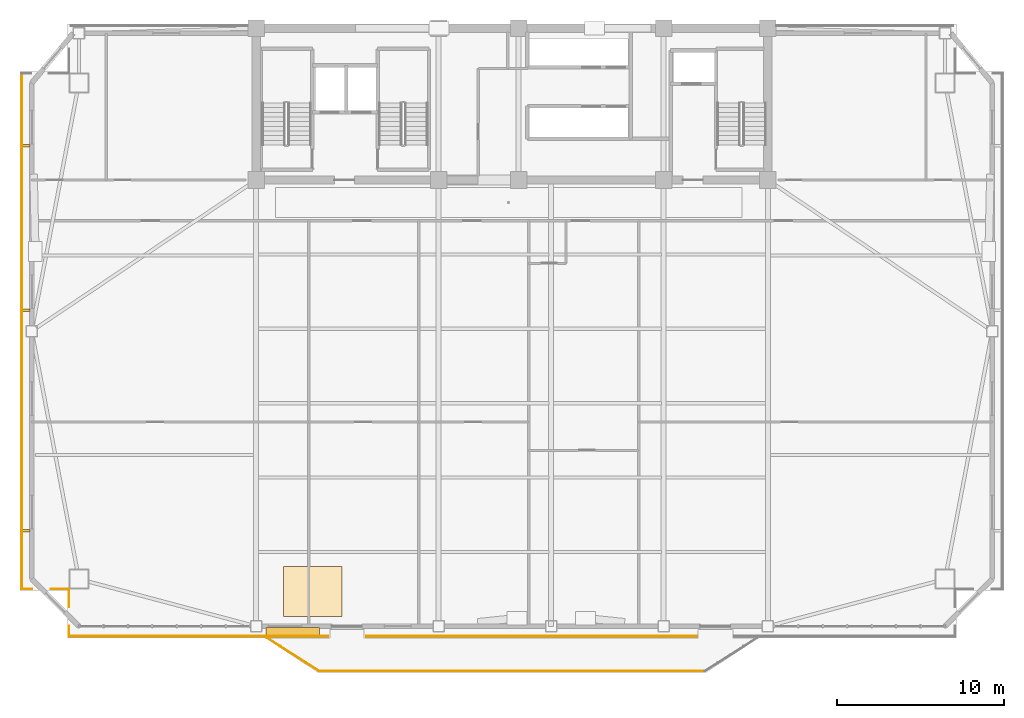
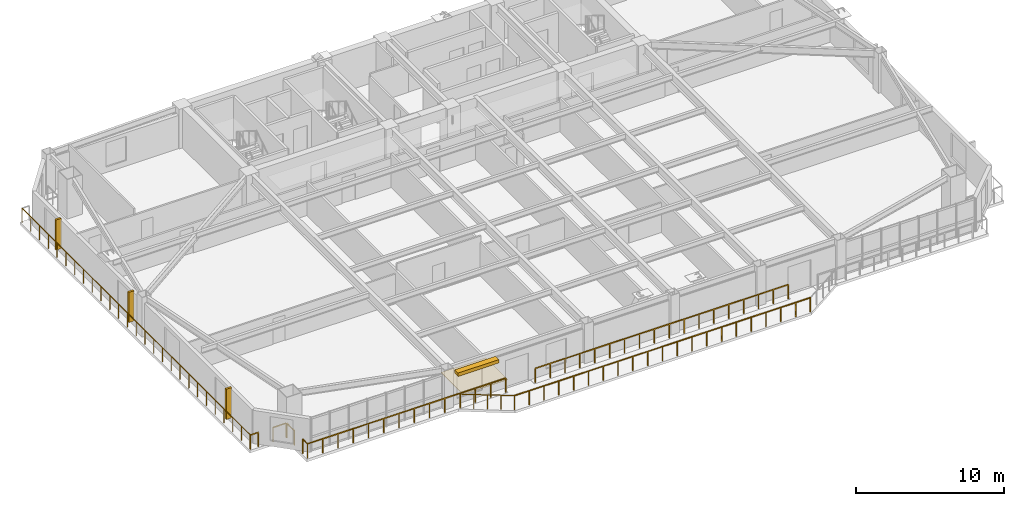
# One storey, part 13 of 17: 9 railings, 4 shading devices, 1 covering.
"""IFC4 building model written with IfcOpenShell, lengths in metres."""

from ifc_helpers import new_model, si_unit, direction, frame, origin, origin_2d, place, context, subcontext, project, spatial, polyline, rectangle, outline, extrude, source, transform, mapped, material, layer, layer_set, type_object, element, save


model = new_model("IFC4")

# Units and contexts
model_context = context("Model", 3, precision=1e-05, world=origin(), true_north=direction((0.0, 1.0)))
body_context = subcontext(model_context, "Body", "Model", "MODEL_VIEW")
ifc_project = project(units=[si_unit("LENGTHUNIT", "METRE"), si_unit("AREAUNIT", "SQUARE_METRE"), si_unit("VOLUMEUNIT", "CUBIC_METRE"), si_unit("PLANEANGLEUNIT", "RADIAN"), si_unit("MASSUNIT", "GRAM", prefix="KILO")], contexts=[model_context])

# Site, building, storey
site_placement = place(None, origin())
site = spatial("IfcSite", under=ifc_project, at=site_placement, CompositionType="ELEMENT")
building_placement = place(site_placement, origin())
building = spatial("IfcBuilding", under=site, at=building_placement, Name="Giltprow Tower", CompositionType="ELEMENT")
storey_placement = place(building_placement, frame((0.0, 0.0, 195.699951171875)))
storey = spatial("IfcBuildingStorey", under=building, at=storey_placement, Name="L49", CompositionType="ELEMENT", Elevation=195.699951171875)

# Covering
ifc_material_1 = material(Name="Engineered oak", Category="wood")
ifc_layer = layer(ifc_material_1, 0.02490234375, Name="Engineered oak")
ifc_layer_set = layer_set([ifc_layer], Name="Engineered oak")
covering_type = type_object("IfcCoveringType", Name="COV-FLR-TIMBER", PredefinedType="FLOORING", material=ifc_layer_set)
covering_placement = place(storey_placement, origin())
element("IfcCovering", 1, at=covering_placement, inside=storey, type_object=covering_type, Name="L49 Engineered Oak Guestroom Flooring", PredefinedType="FLOORING", context=body_context, shape_type="SweptSolid", body=[
    extrude(outline(polyline([(21.5, 11.280029296875), (25.0, 11.280029296875), (25.0, 14.280029296875), (21.5, 14.280029296875), (21.5, 11.280029296875)])), origin(), (0.0, 0.0, 1.0), 0.025146484375),
])

# Railings
ifc_material_2 = material(Name="Anodized bronze", Category="metal")
railing_type = type_object("IfcRailingType", Name="RAIL-BALC-GUARD-1200", PredefinedType="BALUSTRADE", material=ifc_material_2)
railing_1_placement = place(storey_placement, frame((20.52001953125, 9.97998046875, 0.0)))
element("IfcRailing", 2, at=railing_1_placement, inside=storey, type_object=railing_type, Name="L49 Waterfront Balcony Balustrade Seg 1", PredefinedType="BALUSTRADE", context=body_context, shape_type="SweptSolid", body=[
    extrude(rectangle(XDim=0.048095703125, YDim=0.048095703125, at=origin_2d()), frame((0.0, 0.0, 1.17578125), z_axis=(0.84277487735, -0.538266203757, 0.0), x_axis=(0.538266203757, 0.84277487735, 0.0)), (0.0, 0.0, 1.0), 3.678466796875),
    extrude(rectangle(XDim=0.0419921875, YDim=0.0419921875, at=origin_2d()), origin(), (0.0, 0.0, 1.0), 1.15185546875),
    extrude(rectangle(XDim=0.0419921875, YDim=0.0419921875, at=origin_2d()), frame((0.77490234375, -0.4951171875, 0.0)), (0.0, 0.0, 1.0), 1.15185546875),
    extrude(rectangle(XDim=0.0419921875, YDim=0.0419921875, at=origin_2d()), frame((1.550048828125, -0.989990234375, 0.0)), (0.0, 0.0, 1.0), 1.15185546875),
    extrude(rectangle(XDim=0.0419921875, YDim=0.0419921875, at=origin_2d()), frame((2.3251953125, -1.48486328125, 0.0)), (0.0, 0.0, 1.0), 1.15185546875),
    extrude(rectangle(XDim=0.0419921875, YDim=0.0419921875, at=origin_2d()), frame((3.10009765625, -1.97998046875, 0.0)), (0.0, 0.0, 1.0), 1.15185546875),
])
railing_2_placement = place(storey_placement, frame((23.6201171875, 8.0, 0.0)))
element("IfcRailing", 3, at=railing_2_placement, inside=storey, type_object=railing_type, Name="L49 Waterfront Balcony Balustrade Seg 2", PredefinedType="BALUSTRADE", context=body_context, shape_type="SweptSolid", body=[
    extrude(rectangle(XDim=0.048095703125, YDim=0.048095703125, at=origin_2d()), frame((0.0, 0.0, 1.17578125), z_axis=(1.0, 0.0, 0.0), x_axis=(0.0, 1.0, 0.0)), (0.0, 0.0, 1.0), 23.159912109375),
    extrude(rectangle(XDim=0.0419921875, YDim=0.0419921875, at=origin_2d()), origin(), (0.0, 0.0, 1.0), 1.15185546875),
    extrude(rectangle(XDim=0.0419921875, YDim=0.0419921875, at=origin_2d()), frame((1.157958984375, 0.0, 0.0)), (0.0, 0.0, 1.0), 1.15185546875),
    extrude(rectangle(XDim=0.0419921875, YDim=0.0419921875, at=origin_2d()), frame((2.31591796875, 0.0, 0.0)), (0.0, 0.0, 1.0), 1.15185546875),
    extrude(rectangle(XDim=0.0419921875, YDim=0.0419921875, at=origin_2d()), frame((3.473876953125, 0.0, 0.0)), (0.0, 0.0, 1.0), 1.15185546875),
    extrude(rectangle(XDim=0.0419921875, YDim=0.0419921875, at=origin_2d()), frame((4.632080078125, 0.0, 0.0)), (0.0, 0.0, 1.0), 1.15185546875),
    extrude(rectangle(XDim=0.0419921875, YDim=0.0419921875, at=origin_2d()), frame((5.7900390625, 0.0, 0.0)), (0.0, 0.0, 1.0), 1.15185546875),
    extrude(rectangle(XDim=0.0419921875, YDim=0.0419921875, at=origin_2d()), frame((6.947998046875, 0.0, 0.0)), (0.0, 0.0, 1.0), 1.15185546875),
    extrude(rectangle(XDim=0.0419921875, YDim=0.0419921875, at=origin_2d()), frame((8.10595703125, 0.0, 0.0)), (0.0, 0.0, 1.0), 1.15185546875),
    extrude(rectangle(XDim=0.0419921875, YDim=0.0419921875, at=origin_2d()), frame((9.263916015625, 0.0, 0.0)), (0.0, 0.0, 1.0), 1.15185546875),
    extrude(rectangle(XDim=0.0419921875, YDim=0.0419921875, at=origin_2d()), frame((10.421875, 0.0, 0.0)), (0.0, 0.0, 1.0), 1.15185546875),
    extrude(rectangle(XDim=0.0419921875, YDim=0.0419921875, at=origin_2d()), frame((11.580078125, 0.0, 0.0)), (0.0, 0.0, 1.0), 1.15185546875),
    extrude(rectangle(XDim=0.0419921875, YDim=0.0419921875, at=origin_2d()), frame((12.738037109375, 0.0, 0.0)), (0.0, 0.0, 1.0), 1.15185546875),
    extrude(rectangle(XDim=0.0419921875, YDim=0.0419921875, at=origin_2d()), frame((13.89599609375, 0.0, 0.0)), (0.0, 0.0, 1.0), 1.15185546875),
    extrude(rectangle(XDim=0.0419921875, YDim=0.0419921875, at=origin_2d()), frame((15.053955078125, 0.0, 0.0)), (0.0, 0.0, 1.0), 1.15185546875),
    extrude(rectangle(XDim=0.0419921875, YDim=0.0419921875, at=origin_2d()), frame((16.2119140625, 0.0, 0.0)), (0.0, 0.0, 1.0), 1.15185546875),
    extrude(rectangle(XDim=0.0419921875, YDim=0.0419921875, at=origin_2d()), frame((17.369873046875, 0.0, 0.0)), (0.0, 0.0, 1.0), 1.15185546875),
    extrude(rectangle(XDim=0.0419921875, YDim=0.0419921875, at=origin_2d()), frame((18.52783203125, 0.0, 0.0)), (0.0, 0.0, 1.0), 1.15185546875),
    extrude(rectangle(XDim=0.0419921875, YDim=0.0419921875, at=origin_2d()), frame((19.68603515625, 0.0, 0.0)), (0.0, 0.0, 1.0), 1.15185546875),
    extrude(rectangle(XDim=0.0419921875, YDim=0.0419921875, at=origin_2d()), frame((20.843994140625, 0.0, 0.0)), (0.0, 0.0, 1.0), 1.15185546875),
    extrude(rectangle(XDim=0.0419921875, YDim=0.0419921875, at=origin_2d()), frame((22.001953125, 0.0, 0.0)), (0.0, 0.0, 1.0), 1.15185546875),
    extrude(rectangle(XDim=0.0419921875, YDim=0.0419921875, at=origin_2d()), frame((23.159912109375, 0.0, 0.0)), (0.0, 0.0, 1.0), 1.15185546875),
])
railing_3_placement = place(storey_placement, frame((8.6240234375, 10.080078125, 0.0)))
element("IfcRailing", 4, at=railing_3_placement, inside=storey, type_object=railing_type, Name="L49 Corner Apron Edge Balustrade 1", PredefinedType="BALUSTRADE", context=body_context, shape_type="SweptSolid", body=[
    extrude(rectangle(XDim=0.048095703125, YDim=0.048095703125, at=origin_2d()), frame((0.0, 0.0, 1.17578125), z_axis=(0.0, 1.0, 0.0), x_axis=(-1.0, 0.0, 0.0)), (0.0, 0.0, 1.0), 0.619873046875),
    extrude(rectangle(XDim=0.0419921875, YDim=0.0419921875, at=origin_2d()), origin(), (0.0, 0.0, 1.0), 1.15185546875),
    extrude(rectangle(XDim=0.0419921875, YDim=0.0419921875, at=origin_2d()), frame((0.0, 0.619873046875, 0.0)), (0.0, 0.0, 1.0), 1.15185546875),
])
railing_4_placement = place(storey_placement, frame((8.6240234375, 11.860107421875, 0.0)))
element("IfcRailing", 5, at=railing_4_placement, inside=storey, type_object=railing_type, Name="L49 Corner Apron Edge Balustrade 2", PredefinedType="BALUSTRADE", context=body_context, shape_type="SweptSolid", body=[
    extrude(rectangle(XDim=0.048095703125, YDim=0.048095703125, at=origin_2d()), frame((0.0, 0.0, 1.17578125), z_axis=(0.0, 1.0, 0.0), x_axis=(-1.0, 0.0, 0.0)), (0.0, 0.0, 1.0), 1.019775390625),
    extrude(rectangle(XDim=0.0419921875, YDim=0.0419921875, at=origin_2d()), origin(), (0.0, 0.0, 1.0), 1.15185546875),
    extrude(rectangle(XDim=0.0419921875, YDim=0.0419921875, at=origin_2d()), frame((0.0, 1.019775390625, 0.0)), (0.0, 0.0, 1.0), 1.15185546875),
])
railing_5_placement = place(storey_placement, frame((8.589111328125, 12.916015625, 0.0)))
element("IfcRailing", 6, at=railing_5_placement, inside=storey, type_object=railing_type, Name="L49 Corner Apron Edge Balustrade 3", PredefinedType="BALUSTRADE", context=body_context, shape_type="SweptSolid", body=[
    extrude(rectangle(XDim=0.048095703125, YDim=0.048095703125, at=origin_2d()), frame((0.0, 0.0, 1.17578125), z_axis=(-1.0, 0.0, 0.0), x_axis=(0.0, -1.0, 0.0)), (0.0, 0.0, 1.0), 1.02099609375),
    extrude(rectangle(XDim=0.0419921875, YDim=0.0419921875, at=origin_2d()), origin(), (0.0, 0.0, 1.0), 1.15185546875),
    extrude(rectangle(XDim=0.0419921875, YDim=0.0419921875, at=origin_2d()), frame((-1.02099609375, 0.0, 0.0)), (0.0, 0.0, 1.0), 1.15185546875),
])
railing_6_placement = place(storey_placement, frame((6.407958984375, 12.916015625, 0.0)))
element("IfcRailing", 7, at=railing_6_placement, inside=storey, type_object=railing_type, Name="L49 Corner Apron Edge Balustrade 4", PredefinedType="BALUSTRADE", context=body_context, shape_type="SweptSolid", body=[
    extrude(rectangle(XDim=0.048095703125, YDim=0.048095703125, at=origin_2d()), frame((0.0, 0.0, 1.17578125), z_axis=(-1.0, 0.0, 0.0), x_axis=(0.0, -1.0, 0.0)), (0.0, 0.0, 1.0), 0.618896484375),
    extrude(rectangle(XDim=0.0419921875, YDim=0.0419921875, at=origin_2d()), origin(), (0.0, 0.0, 1.0), 1.15185546875),
    extrude(rectangle(XDim=0.0419921875, YDim=0.0419921875, at=origin_2d()), frame((-0.618896484375, 0.0, 0.0)), (0.0, 0.0, 1.0), 1.15185546875),
])
railing_7_placement = place(storey_placement, frame((5.7890625, 12.916015625, 0.0)))
element("IfcRailing", 8, at=railing_7_placement, inside=storey, type_object=railing_type, Name="L49 Corner Apron Edge Balustrade 5", PredefinedType="BALUSTRADE", context=body_context, shape_type="SweptSolid", body=[
    extrude(rectangle(XDim=0.048095703125, YDim=0.048095703125, at=origin_2d()), frame((0.0, 0.0, 1.17578125), z_axis=(0.0, 1.0, 0.0), x_axis=(-1.0, 0.0, 0.0)), (0.0, 0.0, 1.0), 30.948974609375),
    extrude(rectangle(XDim=0.0419921875, YDim=0.0419921875, at=origin_2d()), origin(), (0.0, 0.0, 1.0), 1.15185546875),
    extrude(rectangle(XDim=0.0419921875, YDim=0.0419921875, at=origin_2d()), frame((0.0, 1.1904296875, 0.0)), (0.0, 0.0, 1.0), 1.15185546875),
    extrude(rectangle(XDim=0.0419921875, YDim=0.0419921875, at=origin_2d()), frame((0.0, 2.380615234375, 0.0)), (0.0, 0.0, 1.0), 1.15185546875),
    extrude(rectangle(XDim=0.0419921875, YDim=0.0419921875, at=origin_2d()), frame((0.0, 3.571044921875, 0.0)), (0.0, 0.0, 1.0), 1.15185546875),
    extrude(rectangle(XDim=0.0419921875, YDim=0.0419921875, at=origin_2d()), frame((0.0, 4.761474609375, 0.0)), (0.0, 0.0, 1.0), 1.15185546875),
    extrude(rectangle(XDim=0.0419921875, YDim=0.0419921875, at=origin_2d()), frame((0.0, 5.95166015625, 0.0)), (0.0, 0.0, 1.0), 1.15185546875),
    extrude(rectangle(XDim=0.0419921875, YDim=0.0419921875, at=origin_2d()), frame((0.0, 7.14208984375, 0.0)), (0.0, 0.0, 1.0), 1.15185546875),
    extrude(rectangle(XDim=0.0419921875, YDim=0.0419921875, at=origin_2d()), frame((0.0, 8.33251953125, 0.0)), (0.0, 0.0, 1.0), 1.15185546875),
    extrude(rectangle(XDim=0.0419921875, YDim=0.0419921875, at=origin_2d()), frame((0.0, 9.522705078125, 0.0)), (0.0, 0.0, 1.0), 1.15185546875),
    extrude(rectangle(XDim=0.0419921875, YDim=0.0419921875, at=origin_2d()), frame((0.0, 10.713134765625, 0.0)), (0.0, 0.0, 1.0), 1.15185546875),
    extrude(rectangle(XDim=0.0419921875, YDim=0.0419921875, at=origin_2d()), frame((0.0, 11.903564453125, 0.0)), (0.0, 0.0, 1.0), 1.15185546875),
    extrude(rectangle(XDim=0.0419921875, YDim=0.0419921875, at=origin_2d()), frame((0.0, 13.09375, 0.0)), (0.0, 0.0, 1.0), 1.15185546875),
    extrude(rectangle(XDim=0.0419921875, YDim=0.0419921875, at=origin_2d()), frame((0.0, 14.2841796875, 0.0)), (0.0, 0.0, 1.0), 1.15185546875),
    extrude(rectangle(XDim=0.0419921875, YDim=0.0419921875, at=origin_2d()), frame((0.0, 15.474609375, 0.0)), (0.0, 0.0, 1.0), 1.15185546875),
    extrude(rectangle(XDim=0.0419921875, YDim=0.0419921875, at=origin_2d()), frame((0.0, 16.664794921875, 0.0)), (0.0, 0.0, 1.0), 1.15185546875),
    extrude(rectangle(XDim=0.0419921875, YDim=0.0419921875, at=origin_2d()), frame((0.0, 17.855224609375, 0.0)), (0.0, 0.0, 1.0), 1.15185546875),
    extrude(rectangle(XDim=0.0419921875, YDim=0.0419921875, at=origin_2d()), frame((0.0, 19.04541015625, 0.0)), (0.0, 0.0, 1.0), 1.15185546875),
    extrude(rectangle(XDim=0.0419921875, YDim=0.0419921875, at=origin_2d()), frame((0.0, 20.23583984375, 0.0)), (0.0, 0.0, 1.0), 1.15185546875),
    extrude(rectangle(XDim=0.0419921875, YDim=0.0419921875, at=origin_2d()), frame((0.0, 21.42626953125, 0.0)), (0.0, 0.0, 1.0), 1.15185546875),
    extrude(rectangle(XDim=0.0419921875, YDim=0.0419921875, at=origin_2d()), frame((0.0, 22.616455078125, 0.0)), (0.0, 0.0, 1.0), 1.15185546875),
    extrude(rectangle(XDim=0.0419921875, YDim=0.0419921875, at=origin_2d()), frame((0.0, 23.806884765625, 0.0)), (0.0, 0.0, 1.0), 1.15185546875),
    extrude(rectangle(XDim=0.0419921875, YDim=0.0419921875, at=origin_2d()), frame((0.0, 24.997314453125, 0.0)), (0.0, 0.0, 1.0), 1.15185546875),
    extrude(rectangle(XDim=0.0419921875, YDim=0.0419921875, at=origin_2d()), frame((0.0, 26.1875, 0.0)), (0.0, 0.0, 1.0), 1.15185546875),
    extrude(rectangle(XDim=0.0419921875, YDim=0.0419921875, at=origin_2d()), frame((0.0, 27.3779296875, 0.0)), (0.0, 0.0, 1.0), 1.15185546875),
    extrude(rectangle(XDim=0.0419921875, YDim=0.0419921875, at=origin_2d()), frame((0.0, 28.568359375, 0.0)), (0.0, 0.0, 1.0), 1.15185546875),
    extrude(rectangle(XDim=0.0419921875, YDim=0.0419921875, at=origin_2d()), frame((0.0, 29.758544921875, 0.0)), (0.0, 0.0, 1.0), 1.15185546875),
    extrude(rectangle(XDim=0.0419921875, YDim=0.0419921875, at=origin_2d()), frame((0.0, 30.948974609375, 0.0)), (0.0, 0.0, 1.0), 1.15185546875),
])
railing_8_placement = place(storey_placement, frame((46.25, 10.080078125, 0.0)))
element("IfcRailing", 9, at=railing_8_placement, inside=storey, type_object=railing_type, Name="L49 Corner Apron Edge Balustrade 20", PredefinedType="BALUSTRADE", context=body_context, shape_type="SweptSolid", body=[
    extrude(rectangle(XDim=0.048095703125, YDim=0.048095703125, at=origin_2d()), frame((0.0, 0.0, 1.17578125), z_axis=(-1.0, 0.0, 0.0), x_axis=(0.0, -1.0, 0.0)), (0.0, 0.0, 1.0), 19.800048828125),
    extrude(rectangle(XDim=0.0419921875, YDim=0.0419921875, at=origin_2d()), origin(), (0.0, 0.0, 1.0), 1.15185546875),
    extrude(rectangle(XDim=0.0419921875, YDim=0.0419921875, at=origin_2d()), frame((-1.164794921875, 0.0, 0.0)), (0.0, 0.0, 1.0), 1.15185546875),
    extrude(rectangle(XDim=0.0419921875, YDim=0.0419921875, at=origin_2d()), frame((-2.329345703125, 0.0, 0.0)), (0.0, 0.0, 1.0), 1.15185546875),
    extrude(rectangle(XDim=0.0419921875, YDim=0.0419921875, at=origin_2d()), frame((-3.494140625, 0.0, 0.0)), (0.0, 0.0, 1.0), 1.15185546875),
    extrude(rectangle(XDim=0.0419921875, YDim=0.0419921875, at=origin_2d()), frame((-4.658935546875, 0.0, 0.0)), (0.0, 0.0, 1.0), 1.15185546875),
    extrude(rectangle(XDim=0.0419921875, YDim=0.0419921875, at=origin_2d()), frame((-5.823486328125, 0.0, 0.0)), (0.0, 0.0, 1.0), 1.15185546875),
    extrude(rectangle(XDim=0.0419921875, YDim=0.0419921875, at=origin_2d()), frame((-6.98828125, 0.0, 0.0)), (0.0, 0.0, 1.0), 1.15185546875),
    extrude(rectangle(XDim=0.0419921875, YDim=0.0419921875, at=origin_2d()), frame((-8.153076171875, 0.0, 0.0)), (0.0, 0.0, 1.0), 1.15185546875),
    extrude(rectangle(XDim=0.0419921875, YDim=0.0419921875, at=origin_2d()), frame((-9.317626953125, 0.0, 0.0)), (0.0, 0.0, 1.0), 1.15185546875),
    extrude(rectangle(XDim=0.0419921875, YDim=0.0419921875, at=origin_2d()), frame((-10.482421875, 0.0, 0.0)), (0.0, 0.0, 1.0), 1.15185546875),
    extrude(rectangle(XDim=0.0419921875, YDim=0.0419921875, at=origin_2d()), frame((-11.64697265625, 0.0, 0.0)), (0.0, 0.0, 1.0), 1.15185546875),
    extrude(rectangle(XDim=0.0419921875, YDim=0.0419921875, at=origin_2d()), frame((-12.811767578125, 0.0, 0.0)), (0.0, 0.0, 1.0), 1.15185546875),
    extrude(rectangle(XDim=0.0419921875, YDim=0.0419921875, at=origin_2d()), frame((-13.9765625, 0.0, 0.0)), (0.0, 0.0, 1.0), 1.15185546875),
    extrude(rectangle(XDim=0.0419921875, YDim=0.0419921875, at=origin_2d()), frame((-15.14111328125, 0.0, 0.0)), (0.0, 0.0, 1.0), 1.15185546875),
    extrude(rectangle(XDim=0.0419921875, YDim=0.0419921875, at=origin_2d()), frame((-16.305908203125, 0.0, 0.0)), (0.0, 0.0, 1.0), 1.15185546875),
    extrude(rectangle(XDim=0.0419921875, YDim=0.0419921875, at=origin_2d()), frame((-17.470703125, 0.0, 0.0)), (0.0, 0.0, 1.0), 1.15185546875),
    extrude(rectangle(XDim=0.0419921875, YDim=0.0419921875, at=origin_2d()), frame((-18.63525390625, 0.0, 0.0)), (0.0, 0.0, 1.0), 1.15185546875),
    extrude(rectangle(XDim=0.0419921875, YDim=0.0419921875, at=origin_2d()), frame((-19.800048828125, 0.0, 0.0)), (0.0, 0.0, 1.0), 1.15185546875),
])
railing_9_placement = place(storey_placement, frame((24.14990234375, 10.080078125, 0.0)))
element("IfcRailing", 10, at=railing_9_placement, inside=storey, type_object=railing_type, Name="L49 Corner Apron Edge Balustrade 21", PredefinedType="BALUSTRADE", context=body_context, shape_type="SweptSolid", body=[
    extrude(rectangle(XDim=0.048095703125, YDim=0.048095703125, at=origin_2d()), frame((0.0, 0.0, 1.17578125), z_axis=(-1.0, 0.0, 0.0), x_axis=(0.0, -1.0, 0.0)), (0.0, 0.0, 1.0), 15.52587890625),
    extrude(rectangle(XDim=0.0419921875, YDim=0.0419921875, at=origin_2d()), origin(), (0.0, 0.0, 1.0), 1.15185546875),
    extrude(rectangle(XDim=0.0419921875, YDim=0.0419921875, at=origin_2d()), frame((-1.1943359375, 0.0, 0.0)), (0.0, 0.0, 1.0), 1.15185546875),
    extrude(rectangle(XDim=0.0419921875, YDim=0.0419921875, at=origin_2d()), frame((-2.388671875, 0.0, 0.0)), (0.0, 0.0, 1.0), 1.15185546875),
    extrude(rectangle(XDim=0.0419921875, YDim=0.0419921875, at=origin_2d()), frame((-3.5830078125, 0.0, 0.0)), (0.0, 0.0, 1.0), 1.15185546875),
    extrude(rectangle(XDim=0.0419921875, YDim=0.0419921875, at=origin_2d()), frame((-4.777099609375, 0.0, 0.0)), (0.0, 0.0, 1.0), 1.15185546875),
    extrude(rectangle(XDim=0.0419921875, YDim=0.0419921875, at=origin_2d()), frame((-5.971435546875, 0.0, 0.0)), (0.0, 0.0, 1.0), 1.15185546875),
    extrude(rectangle(XDim=0.0419921875, YDim=0.0419921875, at=origin_2d()), frame((-7.165771484375, 0.0, 0.0)), (0.0, 0.0, 1.0), 1.15185546875),
    extrude(rectangle(XDim=0.0419921875, YDim=0.0419921875, at=origin_2d()), frame((-8.360107421875, 0.0, 0.0)), (0.0, 0.0, 1.0), 1.15185546875),
    extrude(rectangle(XDim=0.0419921875, YDim=0.0419921875, at=origin_2d()), frame((-9.554443359375, 0.0, 0.0)), (0.0, 0.0, 1.0), 1.15185546875),
    extrude(rectangle(XDim=0.0419921875, YDim=0.0419921875, at=origin_2d()), frame((-10.748779296875, 0.0, 0.0)), (0.0, 0.0, 1.0), 1.15185546875),
    extrude(rectangle(XDim=0.0419921875, YDim=0.0419921875, at=origin_2d()), frame((-11.94287109375, 0.0, 0.0)), (0.0, 0.0, 1.0), 1.15185546875),
    extrude(rectangle(XDim=0.0419921875, YDim=0.0419921875, at=origin_2d()), frame((-13.13720703125, 0.0, 0.0)), (0.0, 0.0, 1.0), 1.15185546875),
    extrude(rectangle(XDim=0.0419921875, YDim=0.0419921875, at=origin_2d()), frame((-14.33154296875, 0.0, 0.0)), (0.0, 0.0, 1.0), 1.15185546875),
    extrude(rectangle(XDim=0.0419921875, YDim=0.0419921875, at=origin_2d()), frame((-15.52587890625, 0.0, 0.0)), (0.0, 0.0, 1.0), 1.15185546875),
])

# Shading devices
shading_device_type_1 = type_object("IfcShadingDeviceType", Name="SHD-FIN-420", PredefinedType="USERDEFINED", material=ifc_material_2)
shared_shape_1 = source(origin(), body_context, "Body", "SweptSolid", [
    extrude(rectangle(XDim=0.419921875, YDim=0.159912109375, at=origin_2d()), origin(), (0.0, 0.0, 1.0), 2.5),
])
for number, where, z_axis, x_axis, name in (
    (11, (6.089111328125, 16.412109375, 0.35009765625), (0.0, 0.0, 1.0), (1.0, 0.0, 0.0), "L49 W Bronze Vertical Fin 1-1"),
    (12, (6.089111328125, 29.631103515625, 0.35009765625), (0.0, 0.0, 1.0), (1.0, 0.0, 0.0), "L49 W Bronze Vertical Fin 2-1"),
    (13, (6.089111328125, 39.50390625, 0.35009765625), (0.0, 0.0, 1.0), (1.0, 0.0, 0.0), "L49 W Bronze Vertical Fin 2-2"),
):
    element("IfcShadingDevice", number, at=place(storey_placement, frame(where, z_axis=z_axis, x_axis=x_axis)), inside=storey, type_object=shading_device_type_1, Name=name, ObjectType="FIN", PredefinedType="USERDEFINED", context=body_context, shape_type="MappedRepresentation", body=[
        mapped(shared_shape_1, transform((0.0, 0.0, 0.0), x_axis=(1.0, 0.0, 0.0), y_axis=(0.0, 1.0, 0.0), z_axis=(0.0, 0.0, 1.0), scale=1.0)),
    ])
shading_device_type_2 = type_object("IfcShadingDeviceType", Name="SHD-LOUVRE-320", PredefinedType="JALOUSIE", material=ifc_material_2)
shared_shape_2 = source(origin(), body_context, "Body", "SweptSolid", [
    extrude(rectangle(XDim=3.199951171875, YDim=0.449951171875, at=origin_2d()), origin(), (0.0, 0.0, 1.0), 0.280029296875),
])
shading_device_placement = place(storey_placement, frame((22.050048828125, 10.3798828125, 2.56005859375), z_axis=(0.0, 0.0, 1.0), x_axis=(1.0, 0.0, 0.0)))
element("IfcShadingDevice", 14, at=shading_device_placement, inside=storey, type_object=shading_device_type_2, Name="L49 Bronze Sunshade Louvre S-2", PredefinedType="JALOUSIE", context=body_context, shape_type="MappedRepresentation", body=[
    mapped(shared_shape_2, transform((0.0, 0.0, 0.0), x_axis=(1.0, 0.0, 0.0), y_axis=(0.0, 1.0, 0.0), z_axis=(0.0, 0.0, 1.0), scale=1.0)),
])

save(model, "model.ifc")
